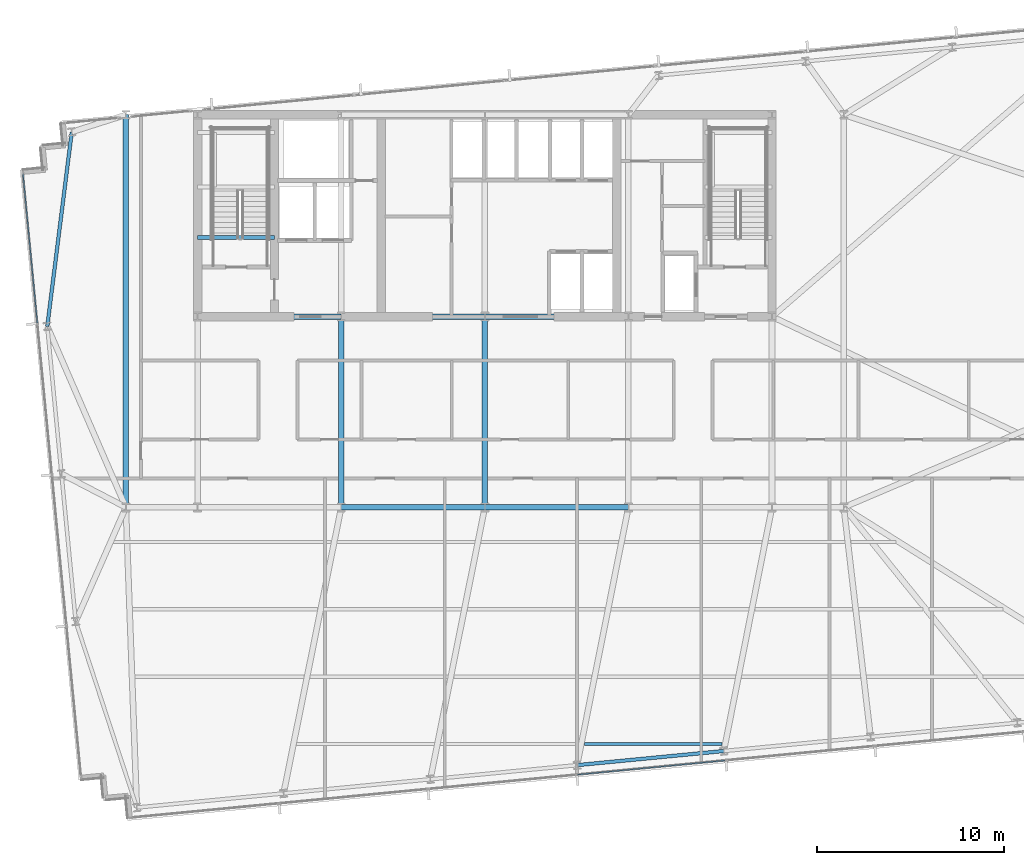
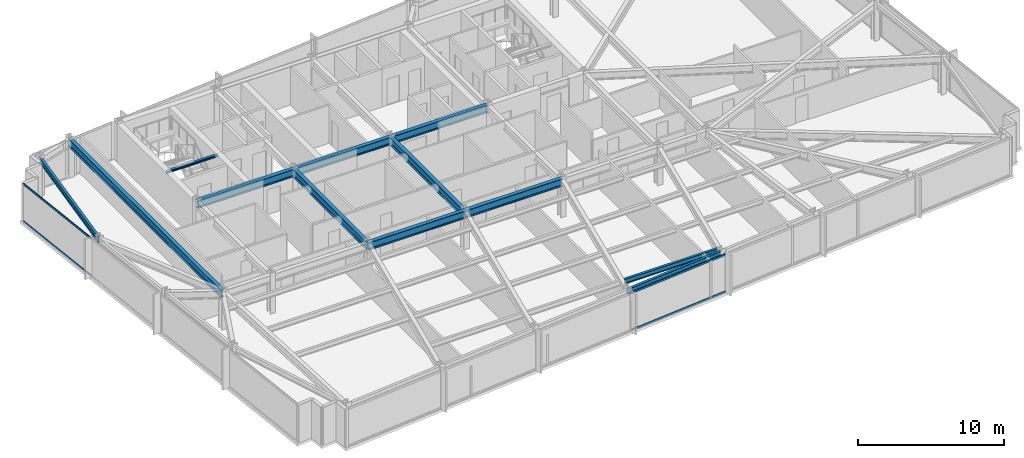
# One storey, part 9 of 33: 12 beams, 4 members, 2 elements without a shape of their own.
"""IFC4 building model written with IfcOpenShell, lengths in metres."""

from ifc_helpers import new_model, si_unit, direction, frame, origin, origin_2d, place, context, subcontext, project, spatial, hollow_rectangle, i_section, extrude, material, material_profile, profile_set, type_object, element, aggregate, save


model = new_model("IFC4")

# Units and contexts
model_context = context("Model", 3, precision=1e-05, world=origin(), true_north=direction((0.0, 1.0)))
body_context = subcontext(model_context, "Body", "Model", "MODEL_VIEW")
ifc_project = project(units=[si_unit("LENGTHUNIT", "METRE"), si_unit("AREAUNIT", "SQUARE_METRE"), si_unit("VOLUMEUNIT", "CUBIC_METRE"), si_unit("PLANEANGLEUNIT", "RADIAN"), si_unit("MASSUNIT", "GRAM", prefix="KILO")], contexts=[model_context])

# Site, building, storey
site_placement = place(None, origin())
site = spatial("IfcSite", under=ifc_project, at=site_placement, CompositionType="ELEMENT")
building_placement = place(site_placement, origin())
building = spatial("IfcBuilding", under=site, at=building_placement, Name="Yelkora Congress Tower", CompositionType="ELEMENT")
storey_placement = place(building_placement, frame((0.0, 0.0, 110.10009765625)))
storey = spatial("IfcBuildingStorey", under=building, at=storey_placement, Name="L29", CompositionType="ELEMENT", Elevation=110.10009765625)

# Beams
ifc_material_1 = material(Name="Steel S355J2", Category="steel")
ifc_material_profile_1 = material_profile(ifc_material_1, i_section(OverallWidth=0.300048828125, OverallDepth=0.64990234375, WebThickness=0.01611328125, FlangeThickness=0.031005859375, FilletRadius=0.027099609375, at=origin_2d()), Name="HEB 650")
ifc_profile_set_1 = profile_set([ifc_material_profile_1], Name="Steel S355J2")
beam_type_1 = type_object("IfcBeamType", Name="BM-GIRD-HEB650", PredefinedType="BEAM", material=ifc_profile_set_1)
beam_1_placement = place(storey_placement, frame((30.719970703125, 25.199951171875, 2.85498046875), z_axis=(1.0, 0.0, 0.0), x_axis=(0.0, 1.0, 0.0)))
element("IfcBeam", 1, at=beam_1_placement, inside=storey, type_object=beam_type_1, Name="L29 Spine Grid D Girder 3", PredefinedType="BEAM", context=body_context, shape_type="SweptSolid", body=[
    extrude(i_section(OverallWidth=0.300048828125, OverallDepth=0.64990234375, WebThickness=0.01611328125, FlangeThickness=0.031005859375, FilletRadius=0.027099609375, at=origin_2d()), origin(), (0.0, 0.0, 1.0), 7.679931640625),
])
beam_2_placement = place(storey_placement, frame((38.39990234375, 25.199951171875, 2.85498046875), z_axis=(1.0, 0.0, 0.0), x_axis=(0.0, 1.0, 0.0)))
element("IfcBeam", 2, at=beam_2_placement, inside=storey, type_object=beam_type_1, Name="L29 Spine Grid D Girder 4", PredefinedType="BEAM", context=body_context, shape_type="SweptSolid", body=[
    extrude(i_section(OverallWidth=0.300048828125, OverallDepth=0.64990234375, WebThickness=0.01611328125, FlangeThickness=0.031005859375, FilletRadius=0.027099609375, at=origin_2d()), origin(), (0.0, 0.0, 1.0), 7.68017578125),
])
for number, where, z_axis, x_axis, name in (
    (3, (23.0400390625, 35.39990234375, 2.85498046875), (1.0, 0.0, 0.0), (0.0, 1.0, 0.0), "L29 Core South Girder 1"),
    (4, (30.719970703125, 35.39990234375, 2.85498046875), (1.0, 0.0, 0.0), (0.0, 1.0, 0.0), "L29 Core South Girder 2"),
):
    element("IfcBeam", number, at=place(storey_placement, frame(where, z_axis=z_axis, x_axis=x_axis)), inside=storey, type_object=beam_type_1, Name=name, PredefinedType="BEAM", context=body_context, shape_type="SweptSolid", body=[
        extrude(i_section(OverallWidth=0.300048828125, OverallDepth=0.64990234375, WebThickness=0.01611328125, FlangeThickness=0.031005859375, FilletRadius=0.027099609375, at=origin_2d()), origin(), (0.0, 0.0, 1.0), 7.679931640625),
    ])
beam_3_placement = place(storey_placement, frame((38.39990234375, 35.39990234375, 2.85498046875), z_axis=(1.0, 0.0, 0.0), x_axis=(0.0, 1.0, 0.0)))
element("IfcBeam", 5, at=beam_3_placement, inside=storey, type_object=beam_type_1, Name="L29 Core South Girder 3", PredefinedType="BEAM", context=body_context, shape_type="SweptSolid", body=[
    extrude(i_section(OverallWidth=0.300048828125, OverallDepth=0.64990234375, WebThickness=0.01611328125, FlangeThickness=0.031005859375, FilletRadius=0.027099609375, at=origin_2d()), origin(), (0.0, 0.0, 1.0), 7.68017578125),
])
for number, where, z_axis, x_axis, name in (
    (6, (30.719970703125, 25.199951171875, 2.85498046875), (0.0, 1.0, 0.0), (-1.0, 0.0, 0.0), "L29 Core Tie Girder MC-D2"),
    (7, (38.39990234375, 25.199951171875, 2.85498046875), (0.0, 1.0, 0.0), (-1.0, 0.0, 0.0), "L29 Core Tie Girder MC-D3"),
):
    element("IfcBeam", number, at=place(storey_placement, frame(where, z_axis=z_axis, x_axis=x_axis)), inside=storey, type_object=beam_type_1, Name=name, PredefinedType="BEAM", context=body_context, shape_type="SweptSolid", body=[
        extrude(i_section(OverallWidth=0.300048828125, OverallDepth=0.64990234375, WebThickness=0.01611328125, FlangeThickness=0.031005859375, FilletRadius=0.027099609375, at=origin_2d()), origin(), (0.0, 0.0, 1.0), 10.199951171875),
    ])
beam_4_placement = place(storey_placement, frame((19.199951171875, 25.199951171875, 2.85498046875), z_axis=(0.0, 1.0, 0.0), x_axis=(-1.0, 0.0, 0.0)))
element("IfcBeam", 8, at=beam_4_placement, inside=storey, type_object=beam_type_1, Name="L29 Neck Flank Girder MC-F1", PredefinedType="BEAM", context=body_context, shape_type="SweptSolid", body=[
    extrude(i_section(OverallWidth=0.300048828125, OverallDepth=0.64990234375, WebThickness=0.01611328125, FlangeThickness=0.031005859375, FilletRadius=0.027099609375, at=origin_2d()), origin(), (0.0, 0.0, 1.0), 21.0),
])
ifc_material_profile_2 = material_profile(ifc_material_1, i_section(OverallWidth=0.179931640625, OverallDepth=0.39990234375, WebThickness=0.008544921875, FlangeThickness=0.013427734375, FilletRadius=0.02099609375, at=origin_2d()), Name="IPE 400")
ifc_profile_set_2 = profile_set([ifc_material_profile_2], Name="Steel S355J2")
beam_type_2 = type_object("IfcBeamType", Name="BM-JOIST-IPE400", PredefinedType="JOIST", material=ifc_profile_set_2)
beam_5_placement = place(storey_placement, frame((43.7197265625, 12.54443359375, 2.97998046875), z_axis=(1.0, 0.0, 0.0), x_axis=(0.0, 1.0, 0.0)))
element("IfcBeam", 9, at=beam_5_placement, inside=storey, type_object=beam_type_2, Name="L29 Composite Floor Joist 3", PredefinedType="JOIST", context=body_context, shape_type="SweptSolid", body=[
    extrude(i_section(OverallWidth=0.179931640625, OverallDepth=0.39990234375, WebThickness=0.008544921875, FlangeThickness=0.013427734375, FilletRadius=0.02099609375, at=origin_2d()), origin(), (0.0, 0.0, 1.0), 7.37841796875),
])
ifc_material_profile_3 = material_profile(ifc_material_1, i_section(OverallWidth=0.199951171875, OverallDepth=0.18994140625, WebThickness=0.006591796875, FlangeThickness=0.010009765625, FilletRadius=0.01806640625, at=origin_2d()), Name="HEA 200")
ifc_profile_set_3 = profile_set([ifc_material_profile_3], Name="Steel S355J2")
beam_type_3 = type_object("IfcBeamType", Name="BM-LAND-HEA200", PredefinedType="BEAM", material=ifc_profile_set_3)
beam_6_placement = place(storey_placement, frame((23.0400390625, 39.639892578125, 2.947265625), z_axis=(1.0, 0.0, 0.0), x_axis=(0.0, 1.0, 0.0)))
element("IfcBeam", 10, at=beam_6_placement, inside=storey, type_object=beam_type_3, Name="ST-01 L29 Floor Arrival Stringer Header Beam", PredefinedType="BEAM", context=body_context, shape_type="SweptSolid", body=[
    extrude(i_section(OverallWidth=0.199951171875, OverallDepth=0.18994140625, WebThickness=0.006591796875, FlangeThickness=0.010009765625, FilletRadius=0.01806640625, at=origin_2d()), origin(), (0.0, 0.0, 1.0), 4.10986328125),
])
ifc_material_profile_4 = material_profile(ifc_material_1, i_section(OverallWidth=0.18994140625, OverallDepth=0.449951171875, WebThickness=0.009521484375, FlangeThickness=0.0146484375, FilletRadius=0.02099609375, at=origin_2d()), Name="IPE 450")
ifc_profile_set_4 = profile_set([ifc_material_profile_4], Name="Steel S355J2")
beam_type_4 = type_object("IfcBeamType", Name="BM-SPAN-IPE450", PredefinedType="SPANDREL", material=ifc_profile_set_4)
beam_7_placement = place(storey_placement, frame((43.334228515625, 11.411865234375, 2.954833984375), z_axis=(0.995398529126, 0.09582154358, 0.0), x_axis=(-0.09582154358, 0.995398529126, 0.0)))
element("IfcBeam", 11, at=beam_7_placement, inside=storey, type_object=beam_type_4, Name="L29 Perimeter Beam 6", PredefinedType="SPANDREL", context=body_context, shape_type="SweptSolid", body=[
    extrude(i_section(OverallWidth=0.18994140625, OverallDepth=0.449951171875, WebThickness=0.009521484375, FlangeThickness=0.0146484375, FilletRadius=0.02099609375, at=origin_2d()), origin(), (0.0, 0.0, 1.0), 7.8857421875),
])
beam_8_placement = place(storey_placement, frame((16.306884765625, 45.27734375, 2.954833984375), z_axis=(-0.124952129665, -0.992162771571, 0.0), x_axis=(0.992162771571, -0.124952129665, 0.0)))
element("IfcBeam", 12, at=beam_8_placement, inside=storey, type_object=beam_type_4, Name="L29 Perimeter Beam 18", PredefinedType="SPANDREL", context=body_context, shape_type="SweptSolid", body=[
    extrude(i_section(OverallWidth=0.18994140625, OverallDepth=0.449951171875, WebThickness=0.009521484375, FlangeThickness=0.0146484375, FilletRadius=0.02099609375, at=origin_2d()), origin(), (0.0, 0.0, 1.0), 10.48046875),
])

# Curtain wall, members
ifc_material_2 = material(Name="Anodised aluminium and insulated glass", Category="aluminium")
curtain_wall_type = type_object("IfcCurtainWallType", Name="CW-SYS-B2", PredefinedType="NOTDEFINED", material=ifc_material_2)
curtain_wall_1_placement = place(storey_placement, origin())
curtain_wall_1 = element("IfcCurtainWall", 13, at=curtain_wall_1_placement, inside=storey, type_object=curtain_wall_type, Name="L29 Unitised Curtain Wall 5", PredefinedType="NOTDEFINED")
ifc_material_3 = material(Name="Anodised aluminium 6063-T6", Category="aluminium")
ifc_material_profile_5 = material_profile(ifc_material_3, hollow_rectangle(XDim=0.06494140625, YDim=0.159912109375, WallThickness=0.00390625, at=origin_2d()), Name="ALU 65x160x4")
ifc_profile_set_5 = profile_set([ifc_material_profile_5], Name="Anodised aluminium 6063-T6")
member_type = type_object("IfcMemberType", Name="MEM-TR-B2", PredefinedType="USERDEFINED", material=ifc_profile_set_5)
member_1_placement = place(storey_placement, frame((14.466796875, 35.06884765625, 0.032470703125), z_axis=(-0.095858482834, 0.995394972495, 0.0), x_axis=(-0.995394972495, -0.095858482834, 0.0)))
member_1 = element("IfcMember", 14, at=member_1_placement, type_object=member_type, Name="CW-B2 transom 4.1", ObjectType="TRANSOM", PredefinedType="USERDEFINED", context=body_context, shape_type="SweptSolid", body=[
    extrude(hollow_rectangle(XDim=0.06494140625, YDim=0.159912109375, WallThickness=0.00390625, at=origin_2d()), origin(), (0.0, 0.0, 1.0), 8.025146484375),
])
member_2_placement = place(storey_placement, frame((14.466796875, 35.06884765625, 3.1474609375), z_axis=(-0.095858482834, 0.995394972495, 0.0), x_axis=(-0.995394972495, -0.095858482834, 0.0)))
member_2 = element("IfcMember", 15, at=member_2_placement, type_object=member_type, Name="CW-B2 transom 4.2", ObjectType="TRANSOM", PredefinedType="USERDEFINED", context=body_context, shape_type="SweptSolid", body=[
    extrude(hollow_rectangle(XDim=0.06494140625, YDim=0.159912109375, WallThickness=0.00390625, at=origin_2d()), origin(), (0.0, 0.0, 1.0), 8.025146484375),
])
aggregate(curtain_wall_1, [member_1, member_2])

curtain_wall_2_placement = place(storey_placement, origin())
curtain_wall_2 = element("IfcCurtainWall", 16, at=curtain_wall_2_placement, inside=storey, type_object=curtain_wall_type, Name="L29 Unitised Curtain Wall 20", PredefinedType="NOTDEFINED")
member_3_placement = place(storey_placement, frame((51.255859375, 11.662353515625, 0.032470703125), z_axis=(-0.995394074338, -0.095867808848, 0.0), x_axis=(0.095867808848, -0.995394074338, 0.0)))
member_3 = element("IfcMember", 17, at=member_3_placement, type_object=member_type, Name="CW-B2 transom 4.1", ObjectType="TRANSOM", PredefinedType="USERDEFINED", context=body_context, shape_type="SweptSolid", body=[
    extrude(hollow_rectangle(XDim=0.06494140625, YDim=0.159912109375, WallThickness=0.00390625, at=origin_2d()), origin(), (0.0, 0.0, 1.0), 7.932861328125),
])
member_4_placement = place(storey_placement, frame((51.255859375, 11.662353515625, 3.1474609375), z_axis=(-0.995394074338, -0.095867808848, 0.0), x_axis=(0.095867808848, -0.995394074338, 0.0)))
member_4 = element("IfcMember", 18, at=member_4_placement, type_object=member_type, Name="CW-B2 transom 4.2", ObjectType="TRANSOM", PredefinedType="USERDEFINED", context=body_context, shape_type="SweptSolid", body=[
    extrude(hollow_rectangle(XDim=0.06494140625, YDim=0.159912109375, WallThickness=0.00390625, at=origin_2d()), origin(), (0.0, 0.0, 1.0), 7.932861328125),
])
aggregate(curtain_wall_2, [member_3, member_4])

save(model, "model.ifc")
